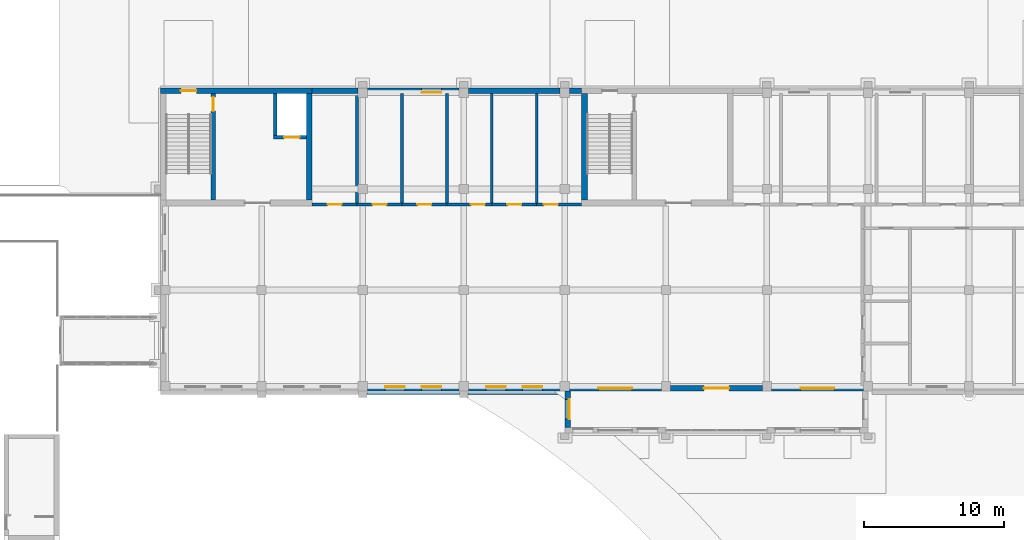
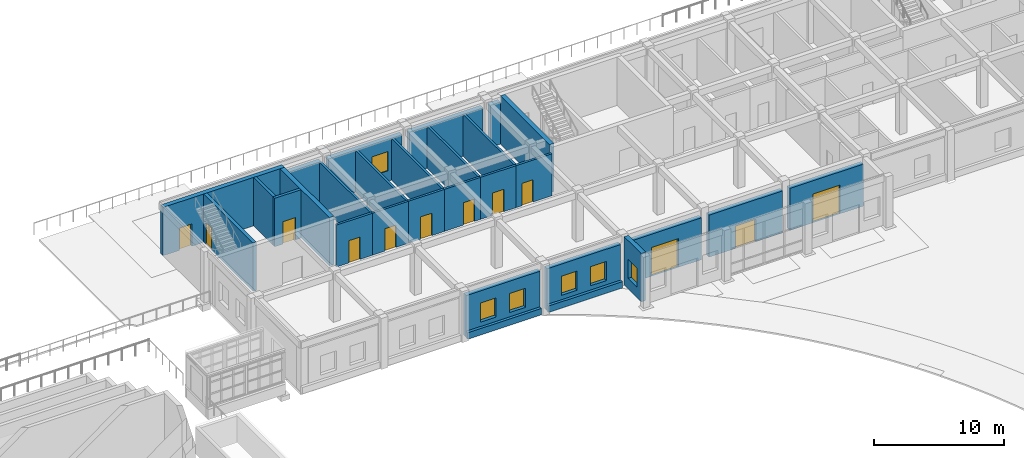
# One storey, part 100 of 131: 29 walls, 12 doors, 6 windows, 18 openings.
"""IFC4 building model written with IfcOpenShell, lengths in metres."""

from ifc_helpers import new_model, si_unit, direction, frame, frame_2d, origin, place, context, subcontext, project, spatial, rectangle, extrude, material, layer, layer_set, type_object, element, fill, save


model = new_model("IFC4")

# Units and contexts
model_context = context("Model", 3, precision=1e-05, world=origin(), true_north=direction((0.0, 1.0)))
body_context = subcontext(model_context, "Body", "Model", "MODEL_VIEW")
ifc_project = project(units=[si_unit("LENGTHUNIT", "METRE"), si_unit("AREAUNIT", "SQUARE_METRE"), si_unit("VOLUMEUNIT", "CUBIC_METRE"), si_unit("PLANEANGLEUNIT", "RADIAN"), si_unit("MASSUNIT", "GRAM", prefix="KILO")], contexts=[model_context])

# Site, building, storey
site_placement = place(None, origin())
site = spatial("IfcSite", under=ifc_project, at=site_placement, CompositionType="ELEMENT")
building_placement = place(site_placement, origin())
building = spatial("IfcBuilding", under=site, at=building_placement, Name="Alderwick Market Hall", CompositionType="ELEMENT")
storey_placement = place(building_placement, frame((0.0, 0.0, 4.800048828125)))
storey = spatial("IfcBuildingStorey", under=building, at=storey_placement, Name="L00", CompositionType="ELEMENT", Elevation=4.800048828125)

# Wall, opening, door
ifc_material_1 = material(Name="Concrete 5000 psi (f'c 35 MPa)", Category="concrete")
ifc_layer_1 = layer(ifc_material_1, 0.39990234375)
ifc_layer_set_1 = layer_set([ifc_layer_1], Name="Concrete 5000 psi (f'c 35 MPa)")
wall_type_1 = type_object("IfcWallType", Name="F Core Wall Concrete 5000 psi 400", PredefinedType="SHEAR", material=ifc_layer_set_1)
wall_1_placement = place(storey_placement, frame((158.39990234375, 151.0, 0.0), z_axis=(0.0, 0.0, 1.0), x_axis=(1.0, 0.0, 0.0)))
wall_1 = element("IfcWall", 1, at=wall_1_placement, inside=storey, type_object=wall_type_1, Name="F.wall.L00.fac.back.01", PredefinedType="SHEAR", context=body_context, shape_type="SweptSolid", body=[
    extrude(rectangle(XDim=10.800048828125, YDim=0.39990234375, at=frame_2d((5.39990234375, 0.0))), origin(), (0.0, 0.0, 1.0), 4.550048828125),
])
opening_1_placement = place(wall_1_placement, frame((1.449951171875, 0.0, 0.0)))
opening_1 = element("IfcOpeningElement", 2, at=opening_1_placement, cuts=wall_1, Name="Opening F-D036", PredefinedType="OPENING", context=body_context, shape_type="SweptSolid", body=[
    extrude(rectangle(XDim=1.10009765625, YDim=2.10009765625, at=frame_2d((0.550048828125, 1.050048828125))), frame((0.0, 0.2099609375, 0.0), z_axis=(0.0, -1.0, 0.0), x_axis=(1.0, 0.0, 0.0)), (0.0, 0.0, 1.0), 0.419921875),
])
ifc_material_2 = material(Name="Steel, insulated", Category="steel")
door_type_1 = type_object("IfcDoorType", Name="F Exit Door FD60 1100x2100", OperationType="NOTDEFINED", PredefinedType="DOOR", material=ifc_material_2)
door_1_placement = place(opening_1_placement, origin())
door_1 = element("IfcDoor", 3, at=door_1_placement, inside=storey, type_object=door_type_1, Name="F.door.L00.036", OperationType="NOTDEFINED", OverallHeight=2.10009765625, OverallWidth=1.10009765625, PredefinedType="DOOR", context=body_context, shape_type="SweptSolid", body=[
    extrude(rectangle(XDim=1.10009765625, YDim=2.10009765625, at=frame_2d((0.550048828125, 1.050048828125))), frame((0.0, 0.02490234375, 0.0), z_axis=(0.0, -1.0, 0.0), x_axis=(1.0, 0.0, 0.0)), (0.0, 0.0, 1.0), 0.050048828125),
])
fill(opening_1, door_1)

# Walls
for number, where, z_axis, x_axis, name in (
    (4, (169.0, 143.199951171875, 0.0), (0.0, 0.0, 1.0), (0.0, 1.0, 0.0), "F.wall.L00.core.A.east.01"),
    (5, (188.60009765625, 143.199951171875, 0.0), (0.0, 0.0, 1.0), (0.0, 1.0, 0.0), "F.wall.L00.core.B.west.01"),
):
    element("IfcWall", number, at=place(storey_placement, frame(where, z_axis=z_axis, x_axis=x_axis)), inside=storey, type_object=wall_type_1, Name=name, PredefinedType="SHEAR", context=body_context, shape_type="SweptSolid", body=[
        extrude(rectangle(XDim=7.60009765625, YDim=0.39990234375, at=frame_2d((3.800048828125, 0.0))), origin(), (0.0, 0.0, 1.0), 4.550048828125),
    ])
ifc_layer_2 = layer(ifc_material_1, 0.25)
ifc_layer_set_2 = layer_set([ifc_layer_2], Name="Concrete 5000 psi (f'c 35 MPa)")
wall_type_2 = type_object("IfcWallType", Name="F Lift Shaft Wall Concrete 5000 psi 250", PredefinedType="SHEAR", material=ifc_layer_set_2)
wall_2_placement = place(storey_placement, frame((166.574951171875, 147.550048828125, 0.0), z_axis=(0.0, 0.0, 1.0), x_axis=(0.0, 1.0, 0.0)))
element("IfcWall", 6, at=wall_2_placement, inside=storey, type_object=wall_type_2, Name="F.wall.L00.core.A.shaftw.01", PredefinedType="SHEAR", context=body_context, shape_type="SweptSolid", body=[
    extrude(rectangle(XDim=3.25, YDim=0.25, at=frame_2d((1.625, 0.0))), origin(), (0.0, 0.0, 1.0), 4.550048828125),
])

# Wall, opening, door
wall_3_placement = place(storey_placement, frame((166.449951171875, 147.675048828125, 0.0), z_axis=(0.0, 0.0, 1.0), x_axis=(1.0, 0.0, 0.0)))
wall_3 = element("IfcWall", 7, at=wall_3_placement, inside=storey, type_object=wall_type_2, Name="F.wall.L00.core.A.shaftf.01", PredefinedType="SHEAR", context=body_context, shape_type="SweptSolid", body=[
    extrude(rectangle(XDim=2.35009765625, YDim=0.25, at=frame_2d((1.175048828125, 0.0))), origin(), (0.0, 0.0, 1.0), 4.550048828125),
])
opening_2_placement = place(wall_3_placement, frame((0.75, 0.0, 0.0)))
opening_2 = element("IfcOpeningElement", 8, at=opening_2_placement, cuts=wall_3, Name="Opening F-D035", PredefinedType="OPENING", context=body_context, shape_type="SweptSolid", body=[
    extrude(rectangle(XDim=1.10009765625, YDim=2.10009765625, at=frame_2d((0.550048828125, 1.050048828125))), frame((0.0, 0.135009765625, 0.0), z_axis=(0.0, -1.0, 0.0), x_axis=(1.0, 0.0, 0.0)), (0.0, 0.0, 1.0), 0.27001953125),
])
ifc_material_3 = material(Name="Stainless steel", Category="steel")
door_type_2 = type_object("IfcDoorType", Name="F Lift Landing Door 1100x2100", OperationType="SLIDING_TO_LEFT", PredefinedType="DOOR", material=ifc_material_3)
door_2_placement = place(opening_2_placement, origin())
door_2 = element("IfcDoor", 9, at=door_2_placement, inside=storey, type_object=door_type_2, Name="F.door.L00.035", OperationType="SLIDING_TO_LEFT", OverallHeight=2.10009765625, OverallWidth=1.10009765625, PredefinedType="DOOR", context=body_context, shape_type="SweptSolid", body=[
    extrude(rectangle(XDim=1.10009765625, YDim=2.10009765625, at=frame_2d((0.550048828125, 1.050048828125))), frame((0.0, 0.02490234375, 0.0), z_axis=(0.0, -1.0, 0.0), x_axis=(1.0, 0.0, 0.0)), (0.0, 0.0, 1.0), 0.050048828125),
])
fill(opening_2, door_2)

ifc_material_4 = material(Name="Gypsum board on steel studs", Category="steel")
ifc_layer_3 = layer(ifc_material_4, 0.199951171875)
ifc_layer_set_3 = layer_set([ifc_layer_3], Name="Gypsum board on steel studs")
wall_type_3 = type_object("IfcWallType", Name="F Partition Wall 200", PredefinedType="PARTITIONING", material=ifc_layer_set_3)
wall_4_placement = place(storey_placement, frame((169.199951171875, 142.89990234375, 0.0), z_axis=(0.0, 0.0, 1.0), x_axis=(1.0, 0.0, 0.0)))
wall_4 = element("IfcWall", 10, at=wall_4_placement, inside=storey, type_object=wall_type_3, Name="F.wall.L00.part.007", PredefinedType="PARTITIONING", context=body_context, shape_type="SweptSolid", body=[
    extrude(rectangle(XDim=3.199951171875, YDim=0.199951171875, at=frame_2d((1.60009765625, 0.0))), origin(), (0.0, 0.0, 1.0), 3.949951171875),
])
opening_3_placement = place(wall_4_placement, frame((1.10009765625, 0.0, 0.0)))
opening_3 = element("IfcOpeningElement", 11, at=opening_3_placement, cuts=wall_4, Name="Opening F-D050", PredefinedType="OPENING", context=body_context, shape_type="SweptSolid", body=[
    extrude(rectangle(XDim=1.0, YDim=2.10009765625, at=frame_2d((0.5, 1.050048828125))), frame((0.0, 0.10986328125, 0.0), z_axis=(0.0, -1.0, 0.0), x_axis=(1.0, 0.0, 0.0)), (0.0, 0.0, 1.0), 0.219970703125),
])
ifc_material_5 = material(Name="Timber, solid core", Category="wood")
door_type_3 = type_object("IfcDoorType", Name="F Door 1000x2100", OperationType="NOTDEFINED", PredefinedType="DOOR", material=ifc_material_5)
door_3_placement = place(opening_3_placement, origin())
door_3 = element("IfcDoor", 12, at=door_3_placement, inside=storey, type_object=door_type_3, Name="F.door.L00.050", OperationType="NOTDEFINED", OverallHeight=2.10009765625, OverallWidth=1.0, PredefinedType="DOOR", context=body_context, shape_type="SweptSolid", body=[
    extrude(rectangle(XDim=1.0, YDim=2.10009765625, at=frame_2d((0.5, 1.050048828125))), frame((0.0, 0.02490234375, 0.0), z_axis=(0.0, -1.0, 0.0), x_axis=(1.0, 0.0, 0.0)), (0.0, 0.0, 1.0), 0.050048828125),
])
fill(opening_3, door_3)

wall_5_placement = place(storey_placement, frame((172.39990234375, 142.89990234375, 0.0), z_axis=(0.0, 0.0, 1.0), x_axis=(1.0, 0.0, 0.0)))
wall_5 = element("IfcWall", 13, at=wall_5_placement, inside=storey, type_object=wall_type_3, Name="F.wall.L00.part.008", PredefinedType="PARTITIONING", context=body_context, shape_type="SweptSolid", body=[
    extrude(rectangle(XDim=3.2001953125, YDim=0.199951171875, at=frame_2d((1.60009765625, 0.0))), origin(), (0.0, 0.0, 1.0), 3.949951171875),
])
opening_4_placement = place(wall_5_placement, frame((1.10009765625, 0.0, 0.0)))
opening_4 = element("IfcOpeningElement", 14, at=opening_4_placement, cuts=wall_5, Name="Opening F-D051", PredefinedType="OPENING", context=body_context, shape_type="SweptSolid", body=[
    extrude(rectangle(XDim=1.0, YDim=2.10009765625, at=frame_2d((0.5, 1.050048828125))), frame((0.0, 0.10986328125, 0.0), z_axis=(0.0, -1.0, 0.0), x_axis=(1.0, 0.0, 0.0)), (0.0, 0.0, 1.0), 0.219970703125),
])
door_4_placement = place(opening_4_placement, origin())
door_4 = element("IfcDoor", 15, at=door_4_placement, inside=storey, type_object=door_type_3, Name="F.door.L00.051", OperationType="NOTDEFINED", OverallHeight=2.10009765625, OverallWidth=1.0, PredefinedType="DOOR", context=body_context, shape_type="SweptSolid", body=[
    extrude(rectangle(XDim=1.0, YDim=2.10009765625, at=frame_2d((0.5, 1.050048828125))), frame((0.0, 0.02490234375, 0.0), z_axis=(0.0, -1.0, 0.0), x_axis=(1.0, 0.0, 0.0)), (0.0, 0.0, 1.0), 0.050048828125),
])
fill(opening_4, door_4)

wall_6_placement = place(storey_placement, frame((175.60009765625, 142.89990234375, 0.0), z_axis=(0.0, 0.0, 1.0), x_axis=(1.0, 0.0, 0.0)))
wall_6 = element("IfcWall", 16, at=wall_6_placement, inside=storey, type_object=wall_type_3, Name="F.wall.L00.part.009", PredefinedType="PARTITIONING", context=body_context, shape_type="SweptSolid", body=[
    extrude(rectangle(XDim=3.199951171875, YDim=0.199951171875, at=frame_2d((1.60009765625, 0.0))), origin(), (0.0, 0.0, 1.0), 3.949951171875),
])
opening_5_placement = place(wall_6_placement, frame((1.10009765625, 0.0, 0.0)))
opening_5 = element("IfcOpeningElement", 17, at=opening_5_placement, cuts=wall_6, Name="Opening F-D052", PredefinedType="OPENING", context=body_context, shape_type="SweptSolid", body=[
    extrude(rectangle(XDim=1.0, YDim=2.10009765625, at=frame_2d((0.5, 1.050048828125))), frame((0.0, 0.10986328125, 0.0), z_axis=(0.0, -1.0, 0.0), x_axis=(1.0, 0.0, 0.0)), (0.0, 0.0, 1.0), 0.219970703125),
])
door_5_placement = place(opening_5_placement, origin())
door_5 = element("IfcDoor", 18, at=door_5_placement, inside=storey, type_object=door_type_3, Name="F.door.L00.052", OperationType="NOTDEFINED", OverallHeight=2.10009765625, OverallWidth=1.0, PredefinedType="DOOR", context=body_context, shape_type="SweptSolid", body=[
    extrude(rectangle(XDim=1.0, YDim=2.10009765625, at=frame_2d((0.5, 1.050048828125))), frame((0.0, 0.02490234375, 0.0), z_axis=(0.0, -1.0, 0.0), x_axis=(1.0, 0.0, 0.0)), (0.0, 0.0, 1.0), 0.050048828125),
])
fill(opening_5, door_5)

wall_7_placement = place(storey_placement, frame((178.800048828125, 142.89990234375, 0.0), z_axis=(0.0, 0.0, 1.0), x_axis=(1.0, 0.0, 0.0)))
wall_7 = element("IfcWall", 19, at=wall_7_placement, inside=storey, type_object=wall_type_3, Name="F.wall.L00.part.010", PredefinedType="PARTITIONING", context=body_context, shape_type="SweptSolid", body=[
    extrude(rectangle(XDim=3.199951171875, YDim=0.199951171875, at=frame_2d((1.60009765625, 0.0))), origin(), (0.0, 0.0, 1.0), 3.949951171875),
])
opening_6_placement = place(wall_7_placement, frame((1.699951171875, 0.0, 0.0)))
opening_6 = element("IfcOpeningElement", 20, at=opening_6_placement, cuts=wall_7, Name="Opening F-D053", PredefinedType="OPENING", context=body_context, shape_type="SweptSolid", body=[
    extrude(rectangle(XDim=1.0, YDim=2.10009765625, at=frame_2d((0.5, 1.050048828125))), frame((0.0, 0.10986328125, 0.0), z_axis=(0.0, -1.0, 0.0), x_axis=(1.0, 0.0, 0.0)), (0.0, 0.0, 1.0), 0.219970703125),
])
door_6_placement = place(opening_6_placement, origin())
door_6 = element("IfcDoor", 21, at=door_6_placement, inside=storey, type_object=door_type_3, Name="F.door.L00.053", OperationType="NOTDEFINED", OverallHeight=2.10009765625, OverallWidth=1.0, PredefinedType="DOOR", context=body_context, shape_type="SweptSolid", body=[
    extrude(rectangle(XDim=1.0, YDim=2.10009765625, at=frame_2d((0.5, 1.050048828125))), frame((0.0, 0.02490234375, 0.0), z_axis=(0.0, -1.0, 0.0), x_axis=(1.0, 0.0, 0.0)), (0.0, 0.0, 1.0), 0.050048828125),
])
fill(opening_6, door_6)

wall_8_placement = place(storey_placement, frame((182.0, 142.89990234375, 0.0), z_axis=(0.0, 0.0, 1.0), x_axis=(1.0, 0.0, 0.0)))
wall_8 = element("IfcWall", 22, at=wall_8_placement, inside=storey, type_object=wall_type_3, Name="F.wall.L00.part.011", PredefinedType="PARTITIONING", context=body_context, shape_type="SweptSolid", body=[
    extrude(rectangle(XDim=3.199951171875, YDim=0.199951171875, at=frame_2d((1.60009765625, 0.0))), origin(), (0.0, 0.0, 1.0), 3.949951171875),
])
opening_7_placement = place(wall_8_placement, frame((1.10009765625, 0.0, 0.0)))
opening_7 = element("IfcOpeningElement", 23, at=opening_7_placement, cuts=wall_8, Name="Opening F-D054", PredefinedType="OPENING", context=body_context, shape_type="SweptSolid", body=[
    extrude(rectangle(XDim=1.0, YDim=2.10009765625, at=frame_2d((0.5, 1.050048828125))), frame((0.0, 0.10986328125, 0.0), z_axis=(0.0, -1.0, 0.0), x_axis=(1.0, 0.0, 0.0)), (0.0, 0.0, 1.0), 0.219970703125),
])
door_7_placement = place(opening_7_placement, origin())
door_7 = element("IfcDoor", 24, at=door_7_placement, inside=storey, type_object=door_type_3, Name="F.door.L00.054", OperationType="NOTDEFINED", OverallHeight=2.10009765625, OverallWidth=1.0, PredefinedType="DOOR", context=body_context, shape_type="SweptSolid", body=[
    extrude(rectangle(XDim=1.0, YDim=2.10009765625, at=frame_2d((0.5, 1.050048828125))), frame((0.0, 0.02490234375, 0.0), z_axis=(0.0, -1.0, 0.0), x_axis=(1.0, 0.0, 0.0)), (0.0, 0.0, 1.0), 0.050048828125),
])
fill(opening_7, door_7)

wall_9_placement = place(storey_placement, frame((185.199951171875, 142.89990234375, 0.0), z_axis=(0.0, 0.0, 1.0), x_axis=(1.0, 0.0, 0.0)))
wall_9 = element("IfcWall", 25, at=wall_9_placement, inside=storey, type_object=wall_type_3, Name="F.wall.L00.part.012", PredefinedType="PARTITIONING", context=body_context, shape_type="SweptSolid", body=[
    extrude(rectangle(XDim=3.199951171875, YDim=0.199951171875, at=frame_2d((1.60009765625, 0.0))), origin(), (0.0, 0.0, 1.0), 3.949951171875),
])
opening_8_placement = place(wall_9_placement, frame((0.5, 0.0, 0.0)))
opening_8 = element("IfcOpeningElement", 26, at=opening_8_placement, cuts=wall_9, Name="Opening F-D055", PredefinedType="OPENING", context=body_context, shape_type="SweptSolid", body=[
    extrude(rectangle(XDim=1.0, YDim=2.10009765625, at=frame_2d((0.5, 1.050048828125))), frame((0.0, 0.10986328125, 0.0), z_axis=(0.0, -1.0, 0.0), x_axis=(1.0, 0.0, 0.0)), (0.0, 0.0, 1.0), 0.219970703125),
])
door_8_placement = place(opening_8_placement, origin())
door_8 = element("IfcDoor", 27, at=door_8_placement, inside=storey, type_object=door_type_3, Name="F.door.L00.055", OperationType="NOTDEFINED", OverallHeight=2.10009765625, OverallWidth=1.0, PredefinedType="DOOR", context=body_context, shape_type="SweptSolid", body=[
    extrude(rectangle(XDim=1.0, YDim=2.10009765625, at=frame_2d((0.5, 1.050048828125))), frame((0.0, 0.02490234375, 0.0), z_axis=(0.0, -1.0, 0.0), x_axis=(1.0, 0.0, 0.0)), (0.0, 0.0, 1.0), 0.050048828125),
])
fill(opening_8, door_8)

# Walls
for number, where, z_axis, x_axis, name in (
    (28, (172.39990234375, 142.89990234375, 0.0), (0.0, 0.0, 1.0), (0.0, 1.0, 0.0), "F.wall.L00.part.019"),
    (29, (175.60009765625, 142.89990234375, 0.0), (0.0, 0.0, 1.0), (0.0, 1.0, 0.0), "F.wall.L00.part.020"),
    (30, (178.800048828125, 142.89990234375, 0.0), (0.0, 0.0, 1.0), (0.0, 1.0, 0.0), "F.wall.L00.part.021"),
    (31, (182.0, 142.89990234375, 0.0), (0.0, 0.0, 1.0), (0.0, 1.0, 0.0), "F.wall.L00.part.022"),
    (32, (185.199951171875, 142.89990234375, 0.0), (0.0, 0.0, 1.0), (0.0, 1.0, 0.0), "F.wall.L00.part.023"),
):
    element("IfcWall", number, at=place(storey_placement, frame(where, z_axis=z_axis, x_axis=x_axis)), inside=storey, type_object=wall_type_3, Name=name, PredefinedType="PARTITIONING", context=body_context, shape_type="SweptSolid", body=[
        extrude(rectangle(XDim=7.900146484375, YDim=0.199951171875, at=frame_2d((3.9501953125, 0.0))), origin(), (0.0, 0.0, 1.0), 3.949951171875),
    ])
ifc_material_6 = material(Name="Cast stone 5000 psi", Category="masonry")
ifc_layer_4 = layer(ifc_material_6, 0.25)
ifc_layer_set_4 = layer_set([ifc_layer_4], Name="Cast stone 5000 psi")
wall_type_4 = type_object("IfcWallType", Name="F Plinth Band Cast Stone 250x600", PredefinedType="SOLIDWALL", material=ifc_layer_set_4)
for number, where, z_axis, x_axis, name in (
    (33, (179.699951171875, 129.47509765625, 0.0), (0.0, 0.0, 1.0), (-1.0, 0.0, 0.0), "F.wall.L00.plinth.front.03"),
    (34, (186.89990234375, 129.47509765625, 0.0), (0.0, 0.0, 1.0), (-1.0, 0.0, 0.0), "F.wall.L00.plinth.front.04"),
):
    element("IfcWall", number, at=place(storey_placement, frame(where, z_axis=z_axis, x_axis=x_axis)), inside=storey, type_object=wall_type_4, Name=name, PredefinedType="SOLIDWALL", context=body_context, shape_type="SweptSolid", body=[
        extrude(rectangle(XDim=6.599853515625, YDim=0.25, at=frame_2d((3.2998046875, 0.0))), origin(), (0.0, 0.0, 1.0), 0.599853515625),
    ])

# Wall, opening, door
ifc_layer_5 = layer(ifc_material_1, 0.300048828125)
ifc_layer_set_5 = layer_set([ifc_layer_5], Name="Concrete 5000 psi (f'c 35 MPa)")
wall_type_5 = type_object("IfcWallType", Name="F Stair Divider Wall Concrete 5000 psi 300", PredefinedType="SHEAR", material=ifc_layer_set_5)
wall_10_placement = place(storey_placement, frame((162.14990234375, 143.199951171875, 0.0), z_axis=(0.0, 0.0, 1.0), x_axis=(0.0, 1.0, 0.0)))
wall_10 = element("IfcWall", 35, at=wall_10_placement, inside=storey, type_object=wall_type_5, Name="F.wall.L00.core.A.div.01", PredefinedType="SHEAR", context=body_context, shape_type="SweptSolid", body=[
    extrude(rectangle(XDim=7.60009765625, YDim=0.300048828125, at=frame_2d((3.800048828125, 0.0))), origin(), (0.0, 0.0, 1.0), 4.550048828125),
])
opening_9_placement = place(wall_10_placement, frame((6.35009765625, 0.0, 0.0)))
opening_9 = element("IfcOpeningElement", 36, at=opening_9_placement, cuts=wall_10, Name="Opening F-D033", PredefinedType="OPENING", context=body_context, shape_type="SweptSolid", body=[
    extrude(rectangle(XDim=1.0, YDim=2.10009765625, at=frame_2d((0.5, 1.050048828125))), frame((0.0, 0.159912109375, 0.0), z_axis=(0.0, -1.0, 0.0), x_axis=(1.0, 0.0, 0.0)), (0.0, 0.0, 1.0), 0.320068359375),
])
door_type_4 = type_object("IfcDoorType", Name="F Fire Door FD90 1000x2100", OperationType="NOTDEFINED", PredefinedType="DOOR", material=ifc_material_2)
door_9_placement = place(opening_9_placement, origin())
door_9 = element("IfcDoor", 37, at=door_9_placement, inside=storey, type_object=door_type_4, Name="F.door.L00.033", OperationType="NOTDEFINED", OverallHeight=2.10009765625, OverallWidth=1.0, PredefinedType="DOOR", context=body_context, shape_type="SweptSolid", body=[
    extrude(rectangle(XDim=1.0, YDim=2.10009765625, at=frame_2d((0.5, 1.050048828125))), frame((0.0, 0.02490234375, 0.0), z_axis=(0.0, -1.0, 0.0), x_axis=(1.0, 0.0, 0.0)), (0.0, 0.0, 1.0), 0.050048828125),
])
fill(opening_9, door_9)

# Wall, openings, windows
ifc_material_7 = material(Name="Glazed terra-cotta ASTM C126 Grade S")
ifc_layer_6 = layer(ifc_material_7, 0.39990234375)
ifc_layer_set_6 = layer_set([ifc_layer_6], Name="Glazed terra-cotta ASTM C126 Grade S")
wall_type_6 = type_object("IfcWallType", Name="F Terra-cotta Faced Wall 400", PredefinedType="SOLIDWALL", material=ifc_layer_set_6)
wall_11_placement = place(storey_placement, frame((179.675048828125, 129.800048828125, 0.0), z_axis=(0.0, 0.0, 1.0), x_axis=(-1.0, 0.0, 0.0)))
wall_11 = element("IfcWall", 38, at=wall_11_placement, inside=storey, type_object=wall_type_6, Name="F.wall.L00.fac.front.03", PredefinedType="SOLIDWALL", context=body_context, shape_type="SweptSolid", body=[
    extrude(rectangle(XDim=6.550048828125, YDim=0.39990234375, at=frame_2d((3.27490234375, 0.0))), origin(), (0.0, 0.0, 1.0), 3.949951171875),
])
opening_10_placement = place(wall_11_placement, frame((1.27490234375, 0.0, 1.0)))
opening_10 = element("IfcOpeningElement", 39, at=opening_10_placement, cuts=wall_11, Name="Opening F-W005", PredefinedType="OPENING", context=body_context, shape_type="SweptSolid", body=[
    extrude(rectangle(XDim=1.39990234375, YDim=1.800048828125, at=frame_2d((0.699951171875, 0.89990234375))), frame((0.0, 0.2099609375, 0.0), z_axis=(0.0, -1.0, 0.0), x_axis=(1.0, 0.0, 0.0)), (0.0, 0.0, 1.0), 0.419921875),
])
opening_11_placement = place(wall_11_placement, frame((3.875, 0.0, 1.0)))
opening_11 = element("IfcOpeningElement", 40, at=opening_11_placement, cuts=wall_11, Name="Opening F-W006", PredefinedType="OPENING", context=body_context, shape_type="SweptSolid", body=[
    extrude(rectangle(XDim=1.39990234375, YDim=1.800048828125, at=frame_2d((0.699951171875, 0.89990234375))), frame((0.0, 0.2099609375, 0.0), z_axis=(0.0, -1.0, 0.0), x_axis=(1.0, 0.0, 0.0)), (0.0, 0.0, 1.0), 0.419921875),
])
ifc_material_8 = material(Name="Aluminium frame, double glazing", Category="aluminium")
window_type = type_object("IfcWindowType", Name="F Base Window 1400x1800", PartitioningType="SINGLE_PANEL", PredefinedType="WINDOW", material=ifc_material_8)
window_1_placement = place(opening_10_placement, origin())
window_1 = element("IfcWindow", 41, at=window_1_placement, inside=storey, type_object=window_type, Name="F.win.L00.005", OverallHeight=1.800048828125, OverallWidth=1.39990234375, PartitioningType="SINGLE_PANEL", PredefinedType="WINDOW", context=body_context, shape_type="SweptSolid", body=[
    extrude(rectangle(XDim=1.39990234375, YDim=1.800048828125, at=frame_2d((0.699951171875, 0.89990234375))), frame((0.0, -0.090087890625, 0.0), z_axis=(0.0, -1.0, 0.0), x_axis=(1.0, 0.0, 0.0)), (0.0, 0.0, 1.0), 0.06005859375),
])
fill(opening_10, window_1)
window_2_placement = place(opening_11_placement, origin())
window_2 = element("IfcWindow", 42, at=window_2_placement, inside=storey, type_object=window_type, Name="F.win.L00.006", OverallHeight=1.800048828125, OverallWidth=1.39990234375, PartitioningType="SINGLE_PANEL", PredefinedType="WINDOW", context=body_context, shape_type="SweptSolid", body=[
    extrude(rectangle(XDim=1.39990234375, YDim=1.800048828125, at=frame_2d((0.699951171875, 0.89990234375))), frame((0.0, -0.090087890625, 0.0), z_axis=(0.0, -1.0, 0.0), x_axis=(1.0, 0.0, 0.0)), (0.0, 0.0, 1.0), 0.06005859375),
])
fill(opening_11, window_2)

wall_12_placement = place(storey_placement, frame((186.875, 129.800048828125, 0.0), z_axis=(0.0, 0.0, 1.0), x_axis=(-1.0, 0.0, 0.0)))
wall_12 = element("IfcWall", 43, at=wall_12_placement, inside=storey, type_object=wall_type_6, Name="F.wall.L00.fac.front.04", PredefinedType="SOLIDWALL", context=body_context, shape_type="SweptSolid", body=[
    extrude(rectangle(XDim=6.550048828125, YDim=0.39990234375, at=frame_2d((3.27490234375, 0.0))), origin(), (0.0, 0.0, 1.0), 3.949951171875),
])
opening_12_placement = place(wall_12_placement, frame((1.27490234375, 0.0, 1.0)))
opening_12 = element("IfcOpeningElement", 44, at=opening_12_placement, cuts=wall_12, Name="Opening F-W007", PredefinedType="OPENING", context=body_context, shape_type="SweptSolid", body=[
    extrude(rectangle(XDim=1.39990234375, YDim=1.800048828125, at=frame_2d((0.699951171875, 0.89990234375))), frame((0.0, 0.2099609375, 0.0), z_axis=(0.0, -1.0, 0.0), x_axis=(1.0, 0.0, 0.0)), (0.0, 0.0, 1.0), 0.419921875),
])
opening_13_placement = place(wall_12_placement, frame((3.875, 0.0, 1.0)))
opening_13 = element("IfcOpeningElement", 45, at=opening_13_placement, cuts=wall_12, Name="Opening F-W008", PredefinedType="OPENING", context=body_context, shape_type="SweptSolid", body=[
    extrude(rectangle(XDim=1.39990234375, YDim=1.800048828125, at=frame_2d((0.699951171875, 0.89990234375))), frame((0.0, 0.2099609375, 0.0), z_axis=(0.0, -1.0, 0.0), x_axis=(1.0, 0.0, 0.0)), (0.0, 0.0, 1.0), 0.419921875),
])
window_3_placement = place(opening_12_placement, origin())
window_3 = element("IfcWindow", 46, at=window_3_placement, inside=storey, type_object=window_type, Name="F.win.L00.007", OverallHeight=1.800048828125, OverallWidth=1.39990234375, PartitioningType="SINGLE_PANEL", PredefinedType="WINDOW", context=body_context, shape_type="SweptSolid", body=[
    extrude(rectangle(XDim=1.39990234375, YDim=1.800048828125, at=frame_2d((0.699951171875, 0.89990234375))), frame((0.0, -0.090087890625, 0.0), z_axis=(0.0, -1.0, 0.0), x_axis=(1.0, 0.0, 0.0)), (0.0, 0.0, 1.0), 0.06005859375),
])
fill(opening_12, window_3)
window_4_placement = place(opening_13_placement, origin())
window_4 = element("IfcWindow", 47, at=window_4_placement, inside=storey, type_object=window_type, Name="F.win.L00.008", OverallHeight=1.800048828125, OverallWidth=1.39990234375, PartitioningType="SINGLE_PANEL", PredefinedType="WINDOW", context=body_context, shape_type="SweptSolid", body=[
    extrude(rectangle(XDim=1.39990234375, YDim=1.800048828125, at=frame_2d((0.699951171875, 0.89990234375))), frame((0.0, -0.090087890625, 0.0), z_axis=(0.0, -1.0, 0.0), x_axis=(1.0, 0.0, 0.0)), (0.0, 0.0, 1.0), 0.06005859375),
])
fill(opening_13, window_4)

# Wall, opening, door
wall_13_placement = place(storey_placement, frame((194.074951171875, 129.800048828125, 0.0), z_axis=(0.0, 0.0, 1.0), x_axis=(-1.0, 0.0, 0.0)))
wall_13 = element("IfcWall", 48, at=wall_13_placement, inside=storey, type_object=wall_type_6, Name="F.wall.L00.fac.front.05", PredefinedType="SOLIDWALL", context=body_context, shape_type="SweptSolid", body=[
    extrude(rectangle(XDim=6.550048828125, YDim=0.39990234375, at=frame_2d((3.27490234375, 0.0))), origin(), (0.0, 0.0, 1.0), 3.949951171875),
])
opening_14_placement = place(wall_13_placement, frame((2.074951171875, 0.0, 0.0)))
opening_14 = element("IfcOpeningElement", 49, at=opening_14_placement, cuts=wall_13, Name="Opening F-D003", PredefinedType="OPENING", context=body_context, shape_type="SweptSolid", body=[
    extrude(rectangle(XDim=2.39990234375, YDim=2.699951171875, at=frame_2d((1.199951171875, 1.35009765625))), frame((0.0, 0.2099609375, 0.0), z_axis=(0.0, -1.0, 0.0), x_axis=(1.0, 0.0, 0.0)), (0.0, 0.0, 1.0), 0.419921875),
])
ifc_material_9 = material(Name="Aluminium, glazed", Category="aluminium")
door_type_5 = type_object("IfcDoorType", Name="F Entrance Door Pair 2400x2700", OperationType="NOTDEFINED", PredefinedType="DOOR", material=ifc_material_9)
door_10_placement = place(opening_14_placement, origin())
door_10 = element("IfcDoor", 50, at=door_10_placement, inside=storey, type_object=door_type_5, Name="F.door.L00.003", OperationType="NOTDEFINED", OverallHeight=2.699951171875, OverallWidth=2.39990234375, PredefinedType="DOOR", context=body_context, shape_type="SweptSolid", body=[
    extrude(rectangle(XDim=2.39990234375, YDim=2.699951171875, at=frame_2d((1.199951171875, 1.35009765625))), frame((0.0, 0.02490234375, 0.0), z_axis=(0.0, -1.0, 0.0), x_axis=(1.0, 0.0, 0.0)), (0.0, 0.0, 1.0), 0.050048828125),
])
fill(opening_14, door_10)

wall_14_placement = place(storey_placement, frame((201.27490234375, 129.800048828125, 0.0), z_axis=(0.0, 0.0, 1.0), x_axis=(-1.0, 0.0, 0.0)))
wall_14 = element("IfcWall", 51, at=wall_14_placement, inside=storey, type_object=wall_type_6, Name="F.wall.L00.fac.front.06", PredefinedType="SOLIDWALL", context=body_context, shape_type="SweptSolid", body=[
    extrude(rectangle(XDim=6.5498046875, YDim=0.39990234375, at=frame_2d((3.27490234375, 0.0))), origin(), (0.0, 0.0, 1.0), 3.949951171875),
])
opening_15_placement = place(wall_14_placement, frame((2.375, 0.0, 0.0)))
opening_15 = element("IfcOpeningElement", 52, at=opening_15_placement, cuts=wall_14, Name="Opening F-D004", PredefinedType="OPENING", context=body_context, shape_type="SweptSolid", body=[
    extrude(rectangle(XDim=1.800048828125, YDim=2.10009765625, at=frame_2d((0.89990234375, 1.050048828125))), frame((0.0, 0.2099609375, 0.0), z_axis=(0.0, -1.0, 0.0), x_axis=(1.0, 0.0, 0.0)), (0.0, 0.0, 1.0), 0.419921875),
])
door_type_6 = type_object("IfcDoorType", Name="F Door Pair 1800x2100", OperationType="NOTDEFINED", PredefinedType="DOOR", material=ifc_material_5)
door_11_placement = place(opening_15_placement, origin())
door_11 = element("IfcDoor", 53, at=door_11_placement, inside=storey, type_object=door_type_6, Name="F.door.L00.004", OperationType="NOTDEFINED", OverallHeight=2.10009765625, OverallWidth=1.800048828125, PredefinedType="DOOR", context=body_context, shape_type="SweptSolid", body=[
    extrude(rectangle(XDim=1.800048828125, YDim=2.10009765625, at=frame_2d((0.89990234375, 1.050048828125))), frame((0.0, 0.02490234375, 0.0), z_axis=(0.0, -1.0, 0.0), x_axis=(1.0, 0.0, 0.0)), (0.0, 0.0, 1.0), 0.050048828125),
])
fill(opening_15, door_11)

wall_15_placement = place(storey_placement, frame((208.47509765625, 129.800048828125, 0.0), z_axis=(0.0, 0.0, 1.0), x_axis=(-1.0, 0.0, 0.0)))
wall_15 = element("IfcWall", 54, at=wall_15_placement, inside=storey, type_object=wall_type_6, Name="F.wall.L00.fac.front.07", PredefinedType="SOLIDWALL", context=body_context, shape_type="SweptSolid", body=[
    extrude(rectangle(XDim=6.550048828125, YDim=0.39990234375, at=frame_2d((3.27490234375, 0.0))), origin(), (0.0, 0.0, 1.0), 3.949951171875),
])
opening_16_placement = place(wall_15_placement, frame((2.074951171875, 0.0, 0.0)))
opening_16 = element("IfcOpeningElement", 55, at=opening_16_placement, cuts=wall_15, Name="Opening F-D005", PredefinedType="OPENING", context=body_context, shape_type="SweptSolid", body=[
    extrude(rectangle(XDim=2.39990234375, YDim=2.699951171875, at=frame_2d((1.199951171875, 1.35009765625))), frame((0.0, 0.2099609375, 0.0), z_axis=(0.0, -1.0, 0.0), x_axis=(1.0, 0.0, 0.0)), (0.0, 0.0, 1.0), 0.419921875),
])
door_12_placement = place(opening_16_placement, origin())
door_12 = element("IfcDoor", 56, at=door_12_placement, inside=storey, type_object=door_type_5, Name="F.door.L00.005", OperationType="NOTDEFINED", OverallHeight=2.699951171875, OverallWidth=2.39990234375, PredefinedType="DOOR", context=body_context, shape_type="SweptSolid", body=[
    extrude(rectangle(XDim=2.39990234375, YDim=2.699951171875, at=frame_2d((1.199951171875, 1.35009765625))), frame((0.0, 0.02490234375, 0.0), z_axis=(0.0, -1.0, 0.0), x_axis=(1.0, 0.0, 0.0)), (0.0, 0.0, 1.0), 0.050048828125),
])
fill(opening_16, door_12)

# Wall
wall_16_placement = place(storey_placement, frame((169.199951171875, 151.0, 0.0), z_axis=(0.0, 0.0, 1.0), x_axis=(1.0, 0.0, 0.0)))
element("IfcWall", 57, at=wall_16_placement, inside=storey, type_object=wall_type_6, Name="F.wall.L00.fac.back.02", PredefinedType="SOLIDWALL", context=body_context, shape_type="SweptSolid", body=[
    extrude(rectangle(XDim=3.275146484375, YDim=0.39990234375, at=frame_2d((1.6376953125, 0.0))), origin(), (0.0, 0.0, 1.0), 3.949951171875),
])

# Wall, opening, window
wall_17_placement = place(storey_placement, frame((173.125, 151.0, 0.0), z_axis=(0.0, 0.0, 1.0), x_axis=(1.0, 0.0, 0.0)))
wall_17 = element("IfcWall", 58, at=wall_17_placement, inside=storey, type_object=wall_type_6, Name="F.wall.L00.fac.back.03", PredefinedType="SOLIDWALL", context=body_context, shape_type="SweptSolid", body=[
    extrude(rectangle(XDim=6.550048828125, YDim=0.39990234375, at=frame_2d((3.27490234375, 0.0))), origin(), (0.0, 0.0, 1.0), 3.949951171875),
])
opening_17_placement = place(wall_17_placement, frame((3.875, 0.0, 1.0)))
opening_17 = element("IfcOpeningElement", 59, at=opening_17_placement, cuts=wall_17, Name="Opening F-W015", PredefinedType="OPENING", context=body_context, shape_type="SweptSolid", body=[
    extrude(rectangle(XDim=1.39990234375, YDim=1.800048828125, at=frame_2d((0.699951171875, 0.89990234375))), frame((0.0, 0.2099609375, 0.0), z_axis=(0.0, -1.0, 0.0), x_axis=(1.0, 0.0, 0.0)), (0.0, 0.0, 1.0), 0.419921875),
])
window_5_placement = place(opening_17_placement, origin())
window_5 = element("IfcWindow", 60, at=window_5_placement, inside=storey, type_object=window_type, Name="F.win.L00.015", OverallHeight=1.800048828125, OverallWidth=1.39990234375, PartitioningType="SINGLE_PANEL", PredefinedType="WINDOW", context=body_context, shape_type="SweptSolid", body=[
    extrude(rectangle(XDim=1.39990234375, YDim=1.800048828125, at=frame_2d((0.699951171875, 0.89990234375))), frame((0.0, -0.090087890625, 0.0), z_axis=(0.0, -1.0, 0.0), x_axis=(1.0, 0.0, 0.0)), (0.0, 0.0, 1.0), 0.06005859375),
])
fill(opening_17, window_5)

# Walls
wall_18_placement = place(storey_placement, frame((180.324951171875, 151.0, 0.0), z_axis=(0.0, 0.0, 1.0), x_axis=(1.0, 0.0, 0.0)))
element("IfcWall", 61, at=wall_18_placement, inside=storey, type_object=wall_type_6, Name="F.wall.L00.fac.back.04", PredefinedType="SOLIDWALL", context=body_context, shape_type="SweptSolid", body=[
    extrude(rectangle(XDim=6.550048828125, YDim=0.39990234375, at=frame_2d((3.27490234375, 0.0))), origin(), (0.0, 0.0, 1.0), 3.949951171875),
])
wall_19_placement = place(storey_placement, frame((187.52490234375, 151.0, 0.0), z_axis=(0.0, 0.0, 1.0), x_axis=(1.0, 0.0, 0.0)))
element("IfcWall", 62, at=wall_19_placement, inside=storey, type_object=wall_type_6, Name="F.wall.L00.fac.back.05", PredefinedType="SOLIDWALL", context=body_context, shape_type="SweptSolid", body=[
    extrude(rectangle(XDim=0.875, YDim=0.39990234375, at=frame_2d((0.4375, 0.0))), origin(), (0.0, 0.0, 1.0), 3.949951171875),
])

# Wall, opening, window
wall_20_placement = place(storey_placement, frame((187.39990234375, 127.0, 0.0), z_axis=(0.0, 0.0, 1.0), x_axis=(0.0, 1.0, 0.0)))
wall_20 = element("IfcWall", 63, at=wall_20_placement, inside=storey, type_object=wall_type_6, Name="F.wall.L00.pav1.west.01", PredefinedType="SOLIDWALL", context=body_context, shape_type="SweptSolid", body=[
    extrude(rectangle(XDim=2.625, YDim=0.39990234375, at=frame_2d((1.3125, 0.0))), origin(), (0.0, 0.0, 1.0), 4.550048828125),
])
opening_18_placement = place(wall_20_placement, frame((0.612548828125, 0.0, 1.0)))
opening_18 = element("IfcOpeningElement", 64, at=opening_18_placement, cuts=wall_20, Name="Opening F-W064", PredefinedType="OPENING", context=body_context, shape_type="SweptSolid", body=[
    extrude(rectangle(XDim=1.39990234375, YDim=1.800048828125, at=frame_2d((0.699951171875, 0.89990234375))), frame((0.0, 0.2099609375, 0.0), z_axis=(0.0, -1.0, 0.0), x_axis=(1.0, 0.0, 0.0)), (0.0, 0.0, 1.0), 0.419921875),
])
window_6_placement = place(opening_18_placement, origin())
window_6 = element("IfcWindow", 65, at=window_6_placement, inside=storey, type_object=window_type, Name="F.win.L00.064", OverallHeight=1.800048828125, OverallWidth=1.39990234375, PartitioningType="SINGLE_PANEL", PredefinedType="WINDOW", context=body_context, shape_type="SweptSolid", body=[
    extrude(rectangle(XDim=1.39990234375, YDim=1.800048828125, at=frame_2d((0.699951171875, 0.89990234375))), frame((0.0, -0.090087890625, 0.0), z_axis=(0.0, -1.0, 0.0), x_axis=(1.0, 0.0, 0.0)), (0.0, 0.0, 1.0), 0.06005859375),
])
fill(opening_18, window_6)

save(model, "model.ifc")
